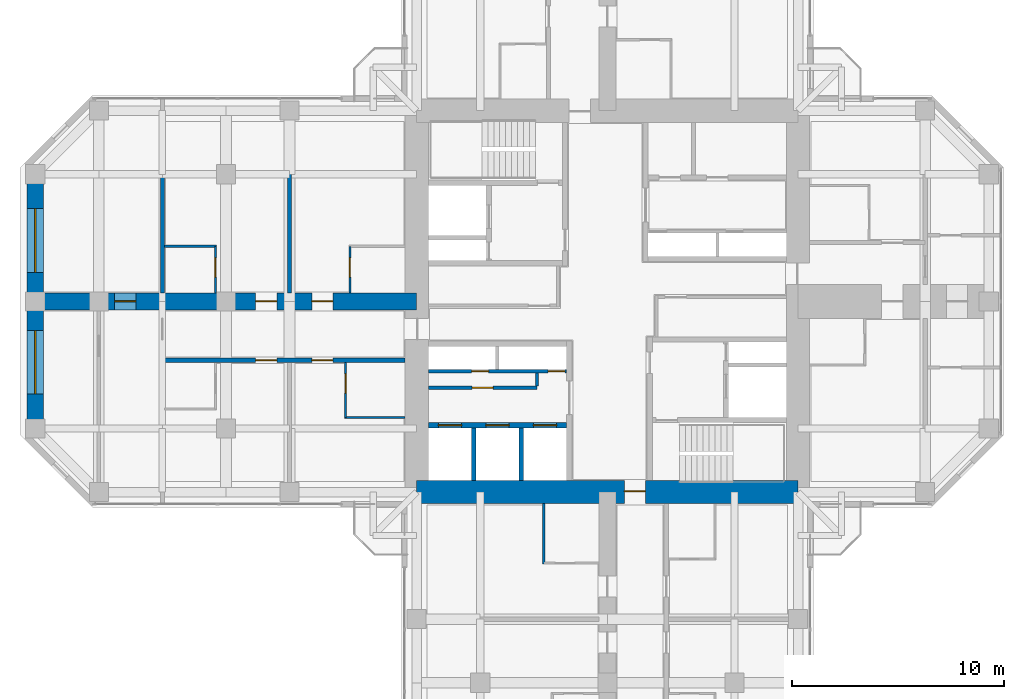
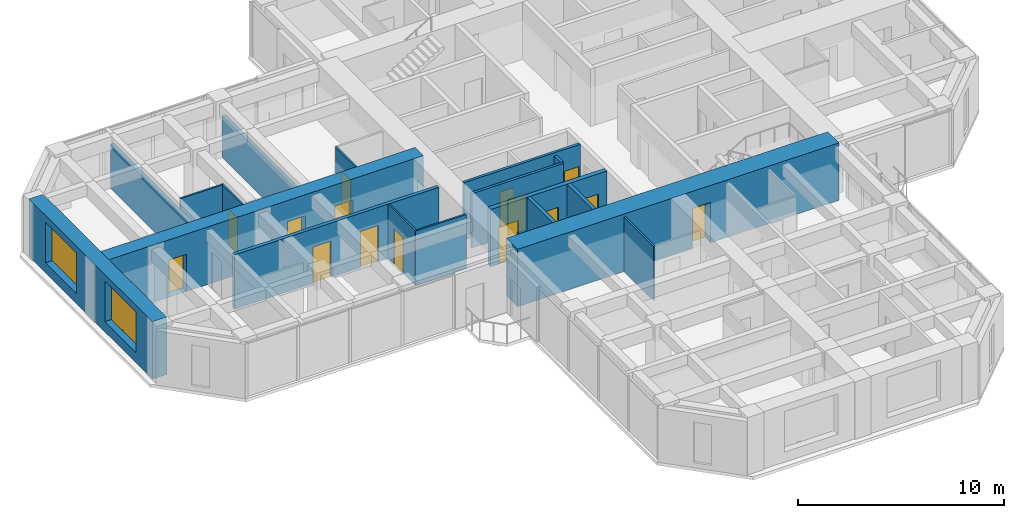
# One storey, part 9 of 14: 18 walls, 15 doors, 2 windows, 17 openings.
"""IFC4 building model written with IfcOpenShell, lengths in metres."""

import ifcopenshell
import ifcopenshell.guid

model = None  # the IFC model being written
_history = None  # IfcOwnerHistory: only IFC2X3 demands one
_inside = {}  # id of a spatial element -> (the spatial element, [elements in it])
_under = {}  # id of a project, library or spatial element -> (it, [spatial elements below it])
_declared = {}  # id of a project -> (the project, [libraries it declares])
_typed = {}  # id of a type object -> (the type object, [elements of that type])
_made_of = {}  # id of a material, layer set ... -> (it, [elements and type objects made of it])


def new_model(schema):
    """Start an empty IFC model of exactly this schema.

    Asked for "IFC4X3", IfcOpenShell would pick the latest addendum, in which some entities
    have other attributes; the version numbers below select the first issue.
    IFC2X3 requires an IfcOwnerHistory on every rooted entity: one is made here for all.
    """
    global model, _history
    if schema == "IFC4X3":
        model = ifcopenshell.file(schema_version=(4, 3, 0, 0))
    else:
        model = ifcopenshell.file(schema=schema)
    _inside.clear()
    _under.clear()
    _declared.clear()
    _typed.clear()
    _made_of.clear()
    _history = None
    if model.schema == "IFC2X3":
        org = make("IfcOrganization", Name="unknown")
        user = make(
            "IfcPersonAndOrganization",
            ThePerson=make("IfcPerson", FamilyName="unknown"),
            TheOrganization=org,
        )
        app = make(
            "IfcApplication",
            ApplicationDeveloper=org,
            Version="unknown",
            ApplicationFullName="unknown",
            ApplicationIdentifier="unknown",
        )
        _history = make(
            "IfcOwnerHistory",
            OwningUser=user,
            OwningApplication=app,
            ChangeAction="ADDED",
            CreationDate=0,
        )
    return model


def make(cls, **values):
    """One entity of the class cls with the attributes given. An attribute that is None is left unset."""
    return model.create_entity(
        cls, **{name: value for name, value in values.items() if value is not None}
    )


def rooted(cls, **values):
    """An entity with a GlobalId (a new one), such as an element, a storey or a relation."""
    return make(cls, GlobalId=ifcopenshell.guid.new(), OwnerHistory=_history, **values)


def si_unit(unit_type, name, prefix=None):
    """IfcSIUnit, for example si_unit("LENGTHUNIT", "METRE", prefix="MILLI")."""
    return make("IfcSIUnit", UnitType=unit_type, Prefix=prefix, Name=name)


def assignment(units):
    """IfcUnitAssignment: the units of a project."""
    return None if units is None else make("IfcUnitAssignment", Units=units)


def point(xyz):
    """IfcCartesianPoint."""
    return None if xyz is None else make("IfcCartesianPoint", Coordinates=xyz)


def direction(xyz):
    """IfcDirection."""
    return None if xyz is None else make("IfcDirection", DirectionRatios=xyz)


def frame(location, z_axis=None, x_axis=None):
    """IfcAxis2Placement3D, a coordinate frame: its origin and axes. An axis left out is left unset."""
    return make(
        "IfcAxis2Placement3D",
        Location=point(location),
        Axis=direction(z_axis),
        RefDirection=direction(x_axis),
    )


def frame_2d(location, x_axis=None):
    """IfcAxis2Placement2D, a coordinate frame in the plane: its origin and x axis."""
    return make(
        "IfcAxis2Placement2D", Location=point(location), RefDirection=direction(x_axis)
    )


def origin():
    """The frame at (0, 0, 0) with its axes left unset."""
    return frame((0.0, 0.0, 0.0))


def place(relative_to, where):
    """IfcLocalPlacement: puts the frame where relative to a parent placement (None: the world)."""
    return make(
        "IfcLocalPlacement", PlacementRelTo=relative_to, RelativePlacement=where
    )


def context(
    kind, dimensions, precision=None, world=None, true_north=None, identifier=None
):
    """IfcGeometricRepresentationContext, for example the 3D "Model" context."""
    return make(
        "IfcGeometricRepresentationContext",
        ContextIdentifier=identifier,
        ContextType=kind,
        CoordinateSpaceDimension=dimensions,
        Precision=precision,
        WorldCoordinateSystem=world,
        TrueNorth=true_north,
    )


def subcontext(parent, identifier, kind, view, scale=None):
    """IfcGeometricRepresentationSubContext, for example "Body" below "Model"."""
    return make(
        "IfcGeometricRepresentationSubContext",
        ContextIdentifier=identifier,
        ContextType=kind,
        ParentContext=parent,
        TargetScale=scale,
        TargetView=view,
    )


def project(units=None, contexts=None):
    """IfcProject with its units and contexts."""
    return rooted(
        "IfcProject",
        Name="project",
        RepresentationContexts=contexts,
        UnitsInContext=assignment(units),
    )


def spatial(cls, under=None, at=None, **own):
    """A site, building, storey or space (cls), placed at a placement, below another one or the project."""
    s = rooted(cls, ObjectPlacement=at, **own)
    if under is not None:
        _under.setdefault(under.id(), (under, []))[1].append(s)
    return s


def profile(cls, at=None, kind="AREA", **sizes):
    """A parametric profile (cls). Its sizes go by their IFC names, for example OverallWidth=200.0."""
    return make(cls, ProfileType=kind, Position=at, **sizes)


def rectangle(**sizes):
    """IfcRectangleProfileDef."""
    return profile("IfcRectangleProfileDef", **sizes)


def hollow_rectangle(**sizes):
    """IfcRectangleHollowProfileDef."""
    return profile("IfcRectangleHollowProfileDef", **sizes)


def extrude(swept, where, along, depth):
    """IfcExtrudedAreaSolid: the profile swept, set in the frame where, extruded along a direction by depth."""
    return make(
        "IfcExtrudedAreaSolid",
        SweptArea=swept,
        Position=where,
        ExtrudedDirection=direction(along),
        Depth=depth,
    )


def shape(context_of_items, identifier, shape_type, items):
    """IfcShapeRepresentation: the items that make up one representation, for example the "Body"."""
    return make(
        "IfcShapeRepresentation",
        ContextOfItems=context_of_items,
        RepresentationIdentifier=identifier,
        RepresentationType=shape_type,
        Items=items,
    )


def material(Name=None, Category=None):
    """IfcMaterial."""
    return make("IfcMaterial", Name=Name, Category=Category)


def layer(
    of_material, thickness, ventilated=None, Name=None, Category=None, Priority=None
):
    """IfcMaterialLayer: one layer of a wall or slab, of a material (None: an air gap)."""
    return make(
        "IfcMaterialLayer",
        Material=of_material,
        LayerThickness=thickness,
        IsVentilated=ventilated,
        Name=Name,
        Category=Category,
        Priority=Priority,
    )


def layer_set(layers, Name=None):
    """IfcMaterialLayerSet."""
    return make("IfcMaterialLayerSet", MaterialLayers=layers, LayerSetName=Name)


def constituent(of_material, Name=None, Category=None, fraction=None):
    """IfcMaterialConstituent: one of the materials an element consists of."""
    return make(
        "IfcMaterialConstituent",
        Name=Name,
        Material=of_material,
        Fraction=fraction,
        Category=Category,
    )


def constituent_set(constituents=None, Name=None):
    """IfcMaterialConstituentSet."""
    return make(
        "IfcMaterialConstituentSet", Name=Name, MaterialConstituents=constituents
    )


def made_of(thing, what):
    """Note that an element or type object is made of a material, layer set ...; save() writes the relation."""
    if what is not None:
        _made_of.setdefault(what.id(), (what, []))[1].append(thing)
    return thing


def type_object(cls, material=None, **own):
    """A type object (cls), such as IfcWallType, which elements share."""
    return made_of(rooted(cls, **own), material)


def element(
    cls,
    number,
    at=None,
    inside=None,
    cuts=None,
    type_object=None,
    material=None,
    context=None,
    identifier="Body",
    shape_type=None,
    held_by="IfcProductDefinitionShape",
    body=None,
    shapes=None,
    **own,
):
    """One element of the class cls, such as IfcWall. Its Tag is "e" and its number.

    at: its placement. inside: the storey or other place that contains it. cuts: it is an
    opening in that element (IfcRelVoidsElement). A single representation is given by context,
    identifier, shape_type and body (its items); several are given by shapes. held_by: the class
    of the entity that holds the representations. save() writes the other relations.
    """
    e = rooted(cls, Tag="e%d" % number, ObjectPlacement=at, **own)
    if body is not None:
        shapes = [shape(context, identifier, shape_type, body)]
    if shapes is not None:
        e.Representation = make(held_by, Representations=shapes)
    if inside is not None:
        _inside.setdefault(inside.id(), (inside, []))[1].append(e)
    if cuts is not None:
        rooted(
            "IfcRelVoidsElement", RelatingBuildingElement=cuts, RelatedOpeningElement=e
        )
    if type_object is not None:
        _typed.setdefault(type_object.id(), (type_object, []))[1].append(e)
    return made_of(e, material)


def fill(opening, filler):
    """IfcRelFillsElement: the door or window that sits in an opening."""
    return rooted(
        "IfcRelFillsElement",
        RelatingOpeningElement=opening,
        RelatedBuildingElement=filler,
    )


def aggregate(whole, parts):
    """IfcRelAggregates: a whole, such as a stair, and the parts it consists of."""
    return rooted("IfcRelAggregates", RelatingObject=whole, RelatedObjects=parts)


def save(model, path):
    """Write the relations noted so far, then the file.

    IfcRelAggregates (storeys below a building ...), IfcRelContainedInSpatialStructure (elements
    in a storey), IfcRelDefinesByType, IfcRelAssociatesMaterial and IfcRelDeclares: one each for
    every whole, place, type object, material and project.
    """
    for whole, parts in _under.values():
        aggregate(whole, parts)
    for where, things in _inside.values():
        rooted(
            "IfcRelContainedInSpatialStructure",
            RelatedElements=things,
            RelatingStructure=where,
        )
    for kind, things in _typed.values():
        rooted("IfcRelDefinesByType", RelatedObjects=things, RelatingType=kind)
    for what, things in _made_of.values():
        rooted("IfcRelAssociatesMaterial", RelatedObjects=things, RelatingMaterial=what)
    for by, libraries in _declared.values():
        rooted("IfcRelDeclares", RelatingContext=by, RelatedDefinitions=libraries)
    model.write(path)


model = new_model("IFC4")

# Units and contexts
model_context = context("Model", 3, precision=1e-05, world=origin(), true_north=direction((0.0, 1.0)))
body_context = subcontext(model_context, "Body", "Model", "MODEL_VIEW")
ifc_project = project(units=[si_unit("LENGTHUNIT", "METRE"), si_unit("AREAUNIT", "SQUARE_METRE"), si_unit("VOLUMEUNIT", "CUBIC_METRE"), si_unit("PLANEANGLEUNIT", "RADIAN"), si_unit("MASSUNIT", "GRAM", prefix="KILO")], contexts=[model_context])

# Site, building, storey
site_placement = place(None, origin())
site = spatial("IfcSite", under=ifc_project, at=site_placement, CompositionType="ELEMENT")
building_placement = place(site_placement, origin())
building = spatial("IfcBuilding", under=site, at=building_placement, Name="Torre Cruceta", CompositionType="ELEMENT")
storey_placement = place(building_placement, frame((0.0, 0.0, 172.89990234375)))
storey = spatial("IfcBuildingStorey", under=building, at=storey_placement, Name="L42", CompositionType="ELEMENT", Elevation=172.89990234375)

# Walls
ifc_material_1 = material(Name="Water-resistant plasterboard on steel studs", Category="steel")
ifc_layer_1 = layer(ifc_material_1, 0.10009765625)
ifc_layer_set_1 = layer_set([ifc_layer_1], Name="Water-resistant plasterboard on steel studs")
wall_type_1 = type_object("IfcWallType", Name="BATHROOM WALL 100", PredefinedType="PARTITIONING", material=ifc_layer_set_1)
for number, where, z_axis, x_axis, name in (
    (1, (-3.0, -9.550048828125, 0.0), (0.0, 0.0, 1.0), (0.0, -1.0, 0.0), "PT4 L42-S-U1RBB"),
    (2, (-9.550048828125, -5.47509765625, 0.0), (0.0, 0.0, 1.0), (-1.0, 0.0, 0.0), "PT4 L42-W-U1LBB"),
):
    element("IfcWall", number, at=place(storey_placement, frame(where, z_axis=z_axis, x_axis=x_axis)), inside=storey, type_object=wall_type_1, Name=name, PredefinedType="PARTITIONING", context=body_context, shape_type="SweptSolid", body=[
        extrude(rectangle(XDim=2.849853515625, YDim=0.10009765625, at=frame_2d((1.4248046875, 0.0))), origin(), (0.0, 0.0, 1.0), 3.22021484375),
    ])

# Wall, opening, door
wall_1_placement = place(storey_placement, frame((-12.35009765625, -2.875, 0.0), z_axis=(0.0, 0.0, 1.0), x_axis=(0.0, -1.0, 0.0)))
wall_1 = element("IfcWall", 3, at=wall_1_placement, inside=storey, type_object=wall_type_1, Name="PT4 L42-W-U1LBS", PredefinedType="PARTITIONING", context=body_context, shape_type="SweptSolid", body=[
    extrude(rectangle(XDim=2.60009765625, YDim=0.10009765625, at=frame_2d((1.300048828125, 0.0))), origin(), (0.0, 0.0, 1.0), 3.22021484375),
])
opening_1_placement = place(wall_1_placement, frame((0.550048828125, 0.0, 0.0)))
opening_1 = element("IfcOpeningElement", 4, at=opening_1_placement, cuts=wall_1, Name="Opening D7", PredefinedType="OPENING", context=body_context, shape_type="SweptSolid", body=[
    extrude(rectangle(XDim=0.89990234375, YDim=2.10009765625, at=frame_2d((0.449951171875, 1.050048828125))), frame((0.0, 0.06005859375, 0.0), z_axis=(0.0, -1.0, 0.0), x_axis=(1.0, 0.0, 0.0)), (0.0, 0.0, 1.0), 0.1201171875),
])
ifc_material_2 = material(Name="Timber door", Category="wood")
door_type_1 = type_object("IfcDoorType", Name="BATHROOM DOOR 900X2100", OperationType="SINGLE_SWING_LEFT", PredefinedType="DOOR", material=ifc_material_2)
door_1_placement = place(opening_1_placement, origin())
door_1 = element("IfcDoor", 5, at=door_1_placement, inside=storey, type_object=door_type_1, Name="D7 L42-W-U1LBS-D1", OperationType="SINGLE_SWING_LEFT", OverallHeight=2.10009765625, OverallWidth=0.89990234375, PredefinedType="DOOR", context=body_context, shape_type="SweptSolid", body=[
    extrude(rectangle(XDim=0.89990234375, YDim=2.10009765625, at=frame_2d((0.449951171875, 1.050048828125))), frame((0.0, 0.02490234375, 0.0), z_axis=(0.0, -1.0, 0.0), x_axis=(1.0, 0.0, 0.0)), (0.0, 0.0, 1.0), 0.050048828125),
])
fill(opening_1, door_1)

wall_2_placement = place(storey_placement, frame((-12.14990234375, 2.60009765625, 0.0), z_axis=(0.0, 0.0, 1.0), x_axis=(0.0, -1.0, 0.0)))
wall_2 = element("IfcWall", 6, at=wall_2_placement, inside=storey, type_object=wall_type_1, Name="PT4 L42-W-U1RBS", PredefinedType="PARTITIONING", context=body_context, shape_type="SweptSolid", body=[
    extrude(rectangle(XDim=2.2001953125, YDim=0.10009765625, at=frame_2d((1.10009765625, 0.0))), origin(), (0.0, 0.0, 1.0), 3.22021484375),
])
opening_2_placement = place(wall_2_placement, frame((0.550048828125, 0.0, 0.0)))
opening_2 = element("IfcOpeningElement", 7, at=opening_2_placement, cuts=wall_2, Name="Opening D7", PredefinedType="OPENING", context=body_context, shape_type="SweptSolid", body=[
    extrude(rectangle(XDim=0.89990234375, YDim=2.10009765625, at=frame_2d((0.449951171875, 1.050048828125))), frame((0.0, 0.06005859375, 0.0), z_axis=(0.0, -1.0, 0.0), x_axis=(1.0, 0.0, 0.0)), (0.0, 0.0, 1.0), 0.1201171875),
])
door_2_placement = place(opening_2_placement, origin())
door_2 = element("IfcDoor", 8, at=door_2_placement, inside=storey, type_object=door_type_1, Name="D7 L42-W-U1RBS-D1", OperationType="SINGLE_SWING_LEFT", OverallHeight=2.10009765625, OverallWidth=0.89990234375, PredefinedType="DOOR", context=body_context, shape_type="SweptSolid", body=[
    extrude(rectangle(XDim=0.89990234375, YDim=2.10009765625, at=frame_2d((0.449951171875, 1.050048828125))), frame((0.0, 0.02490234375, 0.0), z_axis=(0.0, -1.0, 0.0), x_axis=(1.0, 0.0, 0.0)), (0.0, 0.0, 1.0), 0.050048828125),
])
fill(opening_2, door_2)

# Wall
wall_3_placement = place(storey_placement, frame((-18.449951171875, 2.60009765625, 0.0), z_axis=(0.0, 0.0, 1.0), x_axis=(-1.0, 0.0, 0.0)))
element("IfcWall", 9, at=wall_3_placement, inside=storey, type_object=wall_type_1, Name="PT4 L42-W-U2RBB", PredefinedType="PARTITIONING", context=body_context, shape_type="SweptSolid", body=[
    extrude(rectangle(XDim=2.449951171875, YDim=0.10009765625, at=frame_2d((1.22509765625, 0.0))), origin(), (0.0, 0.0, 1.0), 3.22021484375),
])

# Wall, opening, door
wall_4_placement = place(storey_placement, frame((-18.5, 2.60009765625, 0.0), z_axis=(0.0, 0.0, 1.0), x_axis=(0.0, -1.0, 0.0)))
wall_4 = element("IfcWall", 10, at=wall_4_placement, inside=storey, type_object=wall_type_1, Name="PT4 L42-W-U2RBS", PredefinedType="PARTITIONING", context=body_context, shape_type="SweptSolid", body=[
    extrude(rectangle(XDim=2.2001953125, YDim=0.10009765625, at=frame_2d((1.10009765625, 0.0))), origin(), (0.0, 0.0, 1.0), 3.22021484375),
])
opening_3_placement = place(wall_4_placement, frame((0.550048828125, 0.0, 0.0)))
opening_3 = element("IfcOpeningElement", 11, at=opening_3_placement, cuts=wall_4, Name="Opening D7", PredefinedType="OPENING", context=body_context, shape_type="SweptSolid", body=[
    extrude(rectangle(XDim=0.89990234375, YDim=2.10009765625, at=frame_2d((0.449951171875, 1.050048828125))), frame((0.0, 0.06005859375, 0.0), z_axis=(0.0, -1.0, 0.0), x_axis=(1.0, 0.0, 0.0)), (0.0, 0.0, 1.0), 0.1201171875),
])
door_3_placement = place(opening_3_placement, frame((0.89990234375, 0.0, 0.0), z_axis=(0.0, 0.0, 1.0), x_axis=(-1.0, 0.0, 0.0)))
door_3 = element("IfcDoor", 12, at=door_3_placement, inside=storey, type_object=door_type_1, Name="D7 L42-W-U2RBS-D1", OperationType="SINGLE_SWING_RIGHT", OverallHeight=2.10009765625, OverallWidth=0.89990234375, PredefinedType="DOOR", context=body_context, shape_type="SweptSolid", body=[
    extrude(rectangle(XDim=0.89990234375, YDim=2.10009765625, at=frame_2d((0.449951171875, 1.050048828125))), frame((0.0, 0.025146484375, 0.0), z_axis=(0.0, -1.0, 0.0), x_axis=(1.0, 0.0, 0.0)), (0.0, 0.0, 1.0), 0.050048828125),
])
fill(opening_3, door_3)

# Wall, openings, doors
ifc_material_3 = material(Name="Concrete G60 (fck 60 MPa)", Category="concrete")
ifc_layer_2 = layer(ifc_material_3, 0.25)
ifc_layer_set_2 = layer_set([ifc_layer_2], Name="Concrete G60 (fck 60 MPa)")
wall_type_2 = type_object("IfcWallType", Name="CORE INNER WALL 250 G60", PredefinedType="SHEAR", material=ifc_layer_set_2)
wall_5_placement = place(storey_placement, frame((-1.925048828125, -5.85009765625, 0.0), z_axis=(0.0, 0.0, 1.0), x_axis=(-1.0, 0.0, 0.0)))
wall_5 = element("IfcWall", 13, at=wall_5_placement, inside=storey, type_object=wall_type_2, Name="CW4 L42 SW-LV", PredefinedType="SHEAR", context=body_context, shape_type="SweptSolid", body=[
    extrude(rectangle(XDim=6.52490234375, YDim=0.25, at=frame_2d((3.262451171875, 0.0))), origin(), (0.0, 0.0, 1.0), 3.400146484375),
])
opening_4_placement = place(wall_5_placement, frame((0.470947265625, 0.0, 0.0)))
opening_4 = element("IfcOpeningElement", 14, at=opening_4_placement, cuts=wall_5, Name="Opening LD1", PredefinedType="OPENING", context=body_context, shape_type="SweptSolid", body=[
    extrude(rectangle(XDim=1.10009765625, YDim=2.199951171875, at=frame_2d((0.550048828125, 1.10009765625))), frame((0.0, 0.135009765625, 0.0), z_axis=(0.0, -1.0, 0.0), x_axis=(1.0, 0.0, 0.0)), (0.0, 0.0, 1.0), 0.27001953125),
])
opening_5_placement = place(wall_5_placement, frame((2.71240234375, 0.0, 0.0)))
opening_5 = element("IfcOpeningElement", 15, at=opening_5_placement, cuts=wall_5, Name="Opening LD1", PredefinedType="OPENING", context=body_context, shape_type="SweptSolid", body=[
    extrude(rectangle(XDim=1.10009765625, YDim=2.199951171875, at=frame_2d((0.550048828125, 1.10009765625))), frame((0.0, 0.135009765625, 0.0), z_axis=(0.0, -1.0, 0.0), x_axis=(1.0, 0.0, 0.0)), (0.0, 0.0, 1.0), 0.27001953125),
])
opening_6_placement = place(wall_5_placement, frame((4.9541015625, 0.0, 0.0)))
opening_6 = element("IfcOpeningElement", 16, at=opening_6_placement, cuts=wall_5, Name="Opening LD1", PredefinedType="OPENING", context=body_context, shape_type="SweptSolid", body=[
    extrude(rectangle(XDim=1.10009765625, YDim=2.199951171875, at=frame_2d((0.550048828125, 1.10009765625))), frame((0.0, 0.135009765625, 0.0), z_axis=(0.0, -1.0, 0.0), x_axis=(1.0, 0.0, 0.0)), (0.0, 0.0, 1.0), 0.27001953125),
])
ifc_material_4 = material(Name="Stainless steel 1.4401", Category="steel")
door_type_2 = type_object("IfcDoorType", Name="LIFT LANDING DOOR 1100X2200", OperationType="DOUBLE_DOOR_SLIDING", PredefinedType="DOOR", material=ifc_material_4)
door_4_placement = place(opening_4_placement, origin())
door_4 = element("IfcDoor", 17, at=door_4_placement, inside=storey, type_object=door_type_2, Name="Lift landing door R1", OperationType="DOUBLE_DOOR_SLIDING", OverallHeight=2.199951171875, OverallWidth=1.10009765625, PredefinedType="DOOR", context=body_context, shape_type="SweptSolid", body=[
    extrude(rectangle(XDim=1.10009765625, YDim=2.199951171875, at=frame_2d((0.550048828125, 1.10009765625))), frame((0.0, 0.02490234375, 0.0), z_axis=(0.0, -1.0, 0.0), x_axis=(1.0, 0.0, 0.0)), (0.0, 0.0, 1.0), 0.050048828125),
])
fill(opening_4, door_4)
door_5_placement = place(opening_5_placement, origin())
door_5 = element("IfcDoor", 18, at=door_5_placement, inside=storey, type_object=door_type_2, Name="Lift landing door R2", OperationType="DOUBLE_DOOR_SLIDING", OverallHeight=2.199951171875, OverallWidth=1.10009765625, PredefinedType="DOOR", context=body_context, shape_type="SweptSolid", body=[
    extrude(rectangle(XDim=1.10009765625, YDim=2.199951171875, at=frame_2d((0.550048828125, 1.10009765625))), frame((0.0, 0.02490234375, 0.0), z_axis=(0.0, -1.0, 0.0), x_axis=(1.0, 0.0, 0.0)), (0.0, 0.0, 1.0), 0.050048828125),
])
fill(opening_5, door_5)
door_6_placement = place(opening_6_placement, origin())
door_6 = element("IfcDoor", 19, at=door_6_placement, inside=storey, type_object=door_type_2, Name="Lift landing door R3", OperationType="DOUBLE_DOOR_SLIDING", OverallHeight=2.199951171875, OverallWidth=1.10009765625, PredefinedType="DOOR", context=body_context, shape_type="SweptSolid", body=[
    extrude(rectangle(XDim=1.10009765625, YDim=2.199951171875, at=frame_2d((0.550048828125, 1.10009765625))), frame((0.0, 0.02490234375, 0.0), z_axis=(0.0, -1.0, 0.0), x_axis=(1.0, 0.0, 0.0)), (0.0, 0.0, 1.0), 0.050048828125),
])
fill(opening_6, door_6)

# Wall, opening, door
ifc_material_5 = material(Name="Concrete G60 (fck 60 MPa)", Category="concrete")
ifc_layer_3 = layer(ifc_material_5, 1.10009765625)
ifc_layer_set_3 = layer_set([ifc_layer_3], Name="Concrete G60 (fck 60 MPa)")
wall_type_3 = type_object("IfcWallType", Name="CORE WALL 1100 G60", PredefinedType="SHEAR", material=ifc_layer_set_3)
wall_6_placement = place(storey_placement, frame((-9.0, -9.0, 0.0), z_axis=(0.0, 0.0, 1.0), x_axis=(1.0, 0.0, 0.0)))
wall_6 = element("IfcWall", 20, at=wall_6_placement, inside=storey, type_object=wall_type_3, Name="CW2 L42 CW-S", PredefinedType="SHEAR", context=body_context, shape_type="SweptSolid", body=[
    extrude(rectangle(XDim=18.0, YDim=1.10009765625, at=frame_2d((9.0, 0.0))), origin(), (0.0, 0.0, 1.0), 3.400146484375),
])
opening_7_placement = place(wall_6_placement, frame((9.800048828125, 0.0, 0.0)))
opening_7 = element("IfcOpeningElement", 21, at=opening_7_placement, cuts=wall_6, Name="Opening D4", PredefinedType="OPENING", context=body_context, shape_type="SweptSolid", body=[
    extrude(rectangle(XDim=1.0, YDim=2.39990234375, at=frame_2d((0.5, 1.199951171875))), frame((0.0, 0.56005859375, 0.0), z_axis=(0.0, -1.0, 0.0), x_axis=(1.0, 0.0, 0.0)), (0.0, 0.0, 1.0), 1.1201171875),
])
ifc_material_6 = material(Name="Steel DX51D", Category="steel")
ifc_constituent_1 = constituent(ifc_material_6, Name="Leaf and frame")
ifc_material_7 = material(Name="Polyester powder coating", Category="paint")
ifc_constituent_2 = constituent(ifc_material_7, Name="Finish")
ifc_constituent_set_1 = constituent_set(constituents=[ifc_constituent_1, ifc_constituent_2], Name="Steel fire door")
door_type_3 = type_object("IfcDoorType", Name="CORE ARM DOOR 1000X2400", OperationType="SINGLE_SWING_RIGHT", PredefinedType="DOOR", material=ifc_constituent_set_1)
door_7_placement = place(opening_7_placement, origin())
door_7 = element("IfcDoor", 22, at=door_7_placement, inside=storey, type_object=door_type_3, Name="D4 L42 CW-S", OperationType="SINGLE_SWING_RIGHT", OverallHeight=2.39990234375, OverallWidth=1.0, PredefinedType="DOOR", context=body_context, shape_type="SweptSolid", body=[
    extrude(rectangle(XDim=1.0, YDim=2.39990234375, at=frame_2d((0.5, 1.199951171875))), frame((0.0, 0.05517578125, 0.0), z_axis=(0.0, -1.0, 0.0), x_axis=(1.0, 0.0, 0.0)), (0.0, 0.0, 1.0), 0.050048828125),
])
fill(opening_7, door_7)

# Wall, openings, doors
ifc_material_8 = material(Name="Concrete G25 (fck 25 MPa)", Category="concrete")
ifc_layer_4 = layer(ifc_material_8, 0.199951171875)
ifc_layer_set_4 = layer_set([ifc_layer_4], Name="Concrete G25 (fck 25 MPa)")
wall_type_4 = type_object("IfcWallType", Name="CORRIDOR WALL 200", PredefinedType="SOLIDWALL", material=ifc_layer_set_4)
wall_7_placement = place(storey_placement, frame((-9.550048828125, -2.77490234375, 0.0), z_axis=(0.0, 0.0, 1.0), x_axis=(-1.0, 0.0, 0.0)))
wall_7 = element("IfcWall", 23, at=wall_7_placement, inside=storey, type_object=wall_type_4, Name="PT3 L42-W-CL", PredefinedType="SOLIDWALL", context=body_context, shape_type="SweptSolid", body=[
    extrude(rectangle(XDim=11.449951171875, YDim=0.199951171875, at=frame_2d((5.72509765625, 0.0))), origin(), (0.0, 0.0, 1.0), 3.22021484375),
])
opening_8_placement = place(wall_7_placement, frame((3.39990234375, 0.0, 0.0)))
opening_8 = element("IfcOpeningElement", 24, at=opening_8_placement, cuts=wall_7, Name="Opening D6", PredefinedType="OPENING", context=body_context, shape_type="SweptSolid", body=[
    extrude(rectangle(XDim=1.0, YDim=2.14990234375, at=frame_2d((0.5, 1.074951171875))), frame((0.0, 0.10986328125, 0.0), z_axis=(0.0, -1.0, 0.0), x_axis=(1.0, 0.0, 0.0)), (0.0, 0.0, 1.0), 0.219970703125),
])
opening_9_placement = place(wall_7_placement, frame((6.050048828125, 0.0, 0.0)))
opening_9 = element("IfcOpeningElement", 25, at=opening_9_placement, cuts=wall_7, Name="Opening D6", PredefinedType="OPENING", context=body_context, shape_type="SweptSolid", body=[
    extrude(rectangle(XDim=1.0, YDim=2.14990234375, at=frame_2d((0.5, 1.074951171875))), frame((0.0, 0.10986328125, 0.0), z_axis=(0.0, -1.0, 0.0), x_axis=(1.0, 0.0, 0.0)), (0.0, 0.0, 1.0), 0.219970703125),
])
ifc_material_9 = material(Name="Timber fire door", Category="wood")
door_type_4 = type_object("IfcDoorType", Name="UNIT ENTRANCE DOOR 1000X2150", OperationType="SINGLE_SWING_LEFT", PredefinedType="DOOR", material=ifc_material_9)
door_8_placement = place(opening_8_placement, origin())
door_8 = element("IfcDoor", 26, at=door_8_placement, inside=storey, type_object=door_type_4, Name="D6 L42-W-CL-D1", OperationType="SINGLE_SWING_LEFT", OverallHeight=2.14990234375, OverallWidth=1.0, PredefinedType="DOOR", context=body_context, shape_type="SweptSolid", body=[
    extrude(rectangle(XDim=1.0, YDim=2.14990234375, at=frame_2d((0.5, 1.074951171875))), frame((0.0, 0.02490234375, 0.0), z_axis=(0.0, -1.0, 0.0), x_axis=(1.0, 0.0, 0.0)), (0.0, 0.0, 1.0), 0.050048828125),
])
fill(opening_8, door_8)
door_9_placement = place(opening_9_placement, origin())
door_9 = element("IfcDoor", 27, at=door_9_placement, inside=storey, type_object=door_type_4, Name="D6 L42-W-CL-D2", OperationType="SINGLE_SWING_LEFT", OverallHeight=2.14990234375, OverallWidth=1.0, PredefinedType="DOOR", context=body_context, shape_type="SweptSolid", body=[
    extrude(rectangle(XDim=1.0, YDim=2.14990234375, at=frame_2d((0.5, 1.074951171875))), frame((0.0, 0.02490234375, 0.0), z_axis=(0.0, -1.0, 0.0), x_axis=(1.0, 0.0, 0.0)), (0.0, 0.0, 1.0), 0.050048828125),
])
fill(opening_9, door_9)

# Walls
ifc_material_10 = material(Name="Concrete G35 (fck 35 MPa)", Category="concrete")
ifc_layer_5 = layer(ifc_material_10, 0.199951171875)
ifc_layer_set_5 = layer_set([ifc_layer_5], Name="Concrete G35 (fck 35 MPa)")
wall_type_5 = type_object("IfcWallType", Name="LIFT SHAFT WALL 200", PredefinedType="PARTITIONING", material=ifc_layer_set_5)
for number, where, z_axis, x_axis, name in (
    (28, (-4.066650390625, -5.97509765625, 0.0), (0.0, 0.0, 1.0), (0.0, -1.0, 0.0), "SW1 L42 SW-LS1"),
    (29, (-6.308349609375, -5.97509765625, 0.0), (0.0, 0.0, 1.0), (0.0, -1.0, 0.0), "SW1 L42 SW-LS2"),
):
    element("IfcWall", number, at=place(storey_placement, frame(where, z_axis=z_axis, x_axis=x_axis)), inside=storey, type_object=wall_type_5, Name=name, PredefinedType="PARTITIONING", context=body_context, shape_type="SweptSolid", body=[
        extrude(rectangle(XDim=2.474853515625, YDim=0.199951171875, at=frame_2d((1.2373046875, 0.0))), origin(), (0.0, 0.0, 1.0), 3.400146484375),
    ])

# Wall, openings, windows
ifc_material_11 = material(Name="Concrete G60 (fck 60 MPa)", Category="concrete")
ifc_layer_6 = layer(ifc_material_11, 0.800048828125)
ifc_layer_set_6 = layer_set([ifc_layer_6], Name="Concrete G60 (fck 60 MPa)")
wall_type_6 = type_object("IfcWallType", Name="NOSE WALL 800 G60", PredefinedType="SHEAR", material=ifc_layer_set_6)
wall_8_placement = place(storey_placement, frame((-27.0, 6.0, 0.0), z_axis=(0.0, 0.0, 1.0), x_axis=(0.0, -1.0, 0.0)))
wall_8 = element("IfcWall", 30, at=wall_8_placement, inside=storey, type_object=wall_type_6, Name="NW2 nose wall L42 W", PredefinedType="SHEAR", context=body_context, shape_type="SweptSolid", body=[
    extrude(rectangle(XDim=12.0, YDim=0.800048828125, at=frame_2d((6.0, 0.0))), origin(), (0.0, 0.0, 1.0), 3.400146484375),
])
opening_10_placement = place(wall_8_placement, frame((1.625, 0.0, 0.60009765625)))
opening_10 = element("IfcOpeningElement", 31, at=opening_10_placement, cuts=wall_8, Name="Opening WN6", PredefinedType="OPENING", context=body_context, shape_type="SweptSolid", body=[
    extrude(rectangle(XDim=3.0, YDim=2.39990234375, at=frame_2d((1.5, 1.199951171875))), frame((0.0, 0.409912109375, 0.0), z_axis=(0.0, -1.0, 0.0), x_axis=(1.0, 0.0, 0.0)), (0.0, 0.0, 1.0), 0.820068359375),
])
opening_11_placement = place(wall_8_placement, frame((7.375, 0.0, 0.60009765625)))
opening_11 = element("IfcOpeningElement", 32, at=opening_11_placement, cuts=wall_8, Name="Opening WN6", PredefinedType="OPENING", context=body_context, shape_type="SweptSolid", body=[
    extrude(rectangle(XDim=3.0, YDim=2.39990234375, at=frame_2d((1.5, 1.199951171875))), frame((0.0, 0.409912109375, 0.0), z_axis=(0.0, -1.0, 0.0), x_axis=(1.0, 0.0, 0.0)), (0.0, 0.0, 1.0), 0.820068359375),
])
ifc_material_12 = material(Name="Aluminium window frame", Category="aluminium")
ifc_constituent_3 = constituent(ifc_material_12, Name="Frame")
ifc_material_13 = material(Name="Laminated insulating glass unit, low-iron clear", Category="glass")
ifc_constituent_4 = constituent(ifc_material_13, Name="Glazing")
ifc_constituent_set_2 = constituent_set(constituents=[ifc_constituent_3, ifc_constituent_4], Name="Aluminium window")
window_type = type_object("IfcWindowType", Name="NOSE WALL WINDOW 3000X2400", PartitioningType="SINGLE_PANEL", PredefinedType="WINDOW", material=ifc_constituent_set_2)
window_1_placement = place(opening_10_placement, origin())
window_1 = element("IfcWindow", 33, at=window_1_placement, inside=storey, type_object=window_type, Name="WN6 L42 W 1", OverallHeight=2.39990234375, OverallWidth=3.0, PartitioningType="SINGLE_PANEL", PredefinedType="WINDOW", context=body_context, shape_type="SweptSolid", body=[
    extrude(hollow_rectangle(XDim=3.0, YDim=2.39990234375, WallThickness=0.06005859375, at=frame_2d((1.5, 1.199951171875))), frame((0.0, 0.030029296875, 0.0), z_axis=(0.0, -1.0, 0.0), x_axis=(1.0, 0.0, 0.0)), (0.0, 0.0, 1.0), 0.06005859375),
    extrude(rectangle(XDim=2.87890625, YDim=2.27880859375, at=frame_2d((1.5, 1.199951171875))), frame((0.0, 0.030029296875, 0.0), z_axis=(0.0, -1.0, 0.0), x_axis=(1.0, 0.0, 0.0)), (0.0, 0.0, 1.0), 0.06005859375),
])
fill(opening_10, window_1)
window_2_placement = place(opening_11_placement, origin())
window_2 = element("IfcWindow", 34, at=window_2_placement, inside=storey, type_object=window_type, Name="WN6 L42 W 2", OverallHeight=2.39990234375, OverallWidth=3.0, PartitioningType="SINGLE_PANEL", PredefinedType="WINDOW", context=body_context, shape_type="SweptSolid", body=[
    extrude(hollow_rectangle(XDim=3.0, YDim=2.39990234375, WallThickness=0.06005859375, at=frame_2d((1.5, 1.199951171875))), frame((0.0, 0.030029296875, 0.0), z_axis=(0.0, -1.0, 0.0), x_axis=(1.0, 0.0, 0.0)), (0.0, 0.0, 1.0), 0.06005859375),
    extrude(rectangle(XDim=2.87890625, YDim=2.27880859375, at=frame_2d((1.5, 1.199951171875))), frame((0.0, 0.030029296875, 0.0), z_axis=(0.0, -1.0, 0.0), x_axis=(1.0, 0.0, 0.0)), (0.0, 0.0, 1.0), 0.06005859375),
])
fill(opening_11, window_2)

# Wall, opening, door
ifc_material_14 = material(Name="Plasterboard on steel studs", Category="steel")
ifc_layer_7 = layer(ifc_material_14, 0.14990234375)
ifc_layer_set_7 = layer_set([ifc_layer_7], Name="Plasterboard on steel studs")
wall_type_7 = type_object("IfcWallType", Name="PARTITION 150", PredefinedType="PARTITIONING", material=ifc_layer_set_7)
wall_9_placement = place(storey_placement, frame((-3.324951171875, -4.074951171875, 0.0), z_axis=(0.0, 0.0, 1.0), x_axis=(-1.0, 0.0, 0.0)))
wall_9 = element("IfcWall", 35, at=wall_9_placement, inside=storey, type_object=wall_type_7, Name="PT1 L42-CORE-SW-CUPBOARD", PredefinedType="PARTITIONING", context=body_context, shape_type="SweptSolid", body=[
    extrude(rectangle(XDim=5.125, YDim=0.14990234375, at=frame_2d((2.5625, 0.0))), origin(), (0.0, 0.0, 1.0), 3.22021484375),
])
opening_12_placement = place(wall_9_placement, frame((2.0625, 0.0, 0.0)))
opening_12 = element("IfcOpeningElement", 36, at=opening_12_placement, cuts=wall_9, Name="Opening D19", PredefinedType="OPENING", context=body_context, shape_type="SweptSolid", body=[
    extrude(rectangle(XDim=1.0, YDim=2.10009765625, at=frame_2d((0.5, 1.050048828125))), frame((0.0, 0.0849609375, 0.0), z_axis=(0.0, -1.0, 0.0), x_axis=(1.0, 0.0, 0.0)), (0.0, 0.0, 1.0), 0.169921875),
])
ifc_material_15 = material(Name="Timber fire door", Category="wood")
door_type_5 = type_object("IfcDoorType", Name="CUPBOARD PAIR OF DOORS 1000X2100", OperationType="DOUBLE_DOOR_SINGLE_SWING", PredefinedType="DOOR", material=ifc_material_15)
door_10_placement = place(opening_12_placement, frame((1.0, 0.0, 0.0), z_axis=(0.0, 0.0, 1.0), x_axis=(-1.0, 0.0, 0.0)))
door_10 = element("IfcDoor", 37, at=door_10_placement, inside=storey, type_object=door_type_5, Name="D19 L42-CORE-SW-CUPBOARD-D1", OperationType="DOUBLE_DOOR_SINGLE_SWING", OverallHeight=2.10009765625, OverallWidth=1.0, PredefinedType="DOOR", context=body_context, shape_type="SweptSolid", body=[
    extrude(rectangle(XDim=1.0, YDim=2.10009765625, at=frame_2d((0.5, 1.050048828125))), frame((0.0, 0.025146484375, 0.0), z_axis=(0.0, -1.0, 0.0), x_axis=(1.0, 0.0, 0.0)), (0.0, 0.0, 1.0), 0.050048828125),
])
fill(opening_12, door_10)

# Wall
wall_10_placement = place(storey_placement, frame((-3.324951171875, -3.375, 0.0), z_axis=(0.0, 0.0, 1.0), x_axis=(0.0, -1.0, 0.0)))
element("IfcWall", 38, at=wall_10_placement, inside=storey, type_object=wall_type_7, Name="PT1 L42-CORE-SW-CUPBOARDE", PredefinedType="PARTITIONING", context=body_context, shape_type="SweptSolid", body=[
    extrude(rectangle(XDim=0.625, YDim=0.14990234375, at=frame_2d((0.3125, 0.0))), origin(), (0.0, 0.0, 1.0), 3.22021484375),
])

# Wall, openings, doors
ifc_material_16 = material(Name="Concrete block masonry", Category="masonry")
ifc_layer_8 = layer(ifc_material_16, 0.14990234375)
ifc_layer_set_8 = layer_set([ifc_layer_8], Name="Concrete block masonry")
wall_type_8 = type_object("IfcWallType", Name="RISER WALL 150", PredefinedType="PARTITIONING", material=ifc_layer_set_8)
wall_11_placement = place(storey_placement, frame((-1.925048828125, -3.300048828125, 0.0), z_axis=(0.0, 0.0, 1.0), x_axis=(-1.0, 0.0, 0.0)))
wall_11 = element("IfcWall", 39, at=wall_11_placement, inside=storey, type_object=wall_type_8, Name="SW7 L42 SW-RV", PredefinedType="PARTITIONING", context=body_context, shape_type="SweptSolid", body=[
    extrude(rectangle(XDim=6.52490234375, YDim=0.14990234375, at=frame_2d((3.262451171875, 0.0))), origin(), (0.0, 0.0, 1.0), 3.400146484375),
])
opening_13_placement = place(wall_11_placement, frame((0.074951171875, 0.0, 0.0)))
opening_13 = element("IfcOpeningElement", 40, at=opening_13_placement, cuts=wall_11, Name="Opening D5", PredefinedType="OPENING", context=body_context, shape_type="SweptSolid", body=[
    extrude(rectangle(XDim=0.800048828125, YDim=2.10009765625, at=frame_2d((0.39990234375, 1.050048828125))), frame((0.0, 0.0849609375, 0.0), z_axis=(0.0, -1.0, 0.0), x_axis=(1.0, 0.0, 0.0)), (0.0, 0.0, 1.0), 0.169921875),
])
opening_14_placement = place(wall_11_placement, frame((3.675048828125, 0.0, 0.0)))
opening_14 = element("IfcOpeningElement", 41, at=opening_14_placement, cuts=wall_11, Name="Opening D5", PredefinedType="OPENING", context=body_context, shape_type="SweptSolid", body=[
    extrude(rectangle(XDim=0.800048828125, YDim=2.10009765625, at=frame_2d((0.39990234375, 1.050048828125))), frame((0.0, 0.0849609375, 0.0), z_axis=(0.0, -1.0, 0.0), x_axis=(1.0, 0.0, 0.0)), (0.0, 0.0, 1.0), 0.169921875),
])
ifc_material_17 = material(Name="Steel DX51D", Category="steel")
ifc_constituent_5 = constituent(ifc_material_17, Name="Leaf and frame")
ifc_material_18 = material(Name="Polyester powder coating", Category="paint")
ifc_constituent_6 = constituent(ifc_material_18, Name="Finish")
ifc_constituent_set_3 = constituent_set(constituents=[ifc_constituent_5, ifc_constituent_6], Name="Steel fire door")
door_type_6 = type_object("IfcDoorType", Name="RISER ACCESS DOOR 800X2100", OperationType="SINGLE_SWING_LEFT", PredefinedType="DOOR", material=ifc_constituent_set_3)
door_11_placement = place(opening_13_placement, frame((0.800048828125, 0.0, 0.0), z_axis=(0.0, 0.0, 1.0), x_axis=(-1.0, 0.0, 0.0)))
door_11 = element("IfcDoor", 42, at=door_11_placement, inside=storey, type_object=door_type_6, Name="D5 L42 SW-RISER1", OperationType="SINGLE_SWING_RIGHT", OverallHeight=2.10009765625, OverallWidth=0.800048828125, PredefinedType="DOOR", context=body_context, shape_type="SweptSolid", body=[
    extrude(rectangle(XDim=0.800048828125, YDim=2.10009765625, at=frame_2d((0.400146484375, 1.050048828125))), frame((0.0, 0.025146484375, 0.0), z_axis=(0.0, -1.0, 0.0), x_axis=(1.0, 0.0, 0.0)), (0.0, 0.0, 1.0), 0.050048828125),
])
fill(opening_13, door_11)
door_12_placement = place(opening_14_placement, frame((0.800048828125, 0.0, 0.0), z_axis=(0.0, 0.0, 1.0), x_axis=(-1.0, 0.0, 0.0)))
door_12 = element("IfcDoor", 43, at=door_12_placement, inside=storey, type_object=door_type_6, Name="D5 L42 SW-RISER2", OperationType="SINGLE_SWING_RIGHT", OverallHeight=2.10009765625, OverallWidth=0.800048828125, PredefinedType="DOOR", context=body_context, shape_type="SweptSolid", body=[
    extrude(rectangle(XDim=0.800048828125, YDim=2.10009765625, at=frame_2d((0.400146484375, 1.050048828125))), frame((0.0, 0.025146484375, 0.0), z_axis=(0.0, -1.0, 0.0), x_axis=(1.0, 0.0, 0.0)), (0.0, 0.0, 1.0), 0.050048828125),
])
fill(opening_14, door_12)

ifc_material_19 = material(Name="Concrete G60 (fck 60 MPa)", Category="concrete")
ifc_layer_9 = layer(ifc_material_19, 0.800048828125)
ifc_layer_set_9 = layer_set([ifc_layer_9], Name="Concrete G60 (fck 60 MPa)")
wall_type_9 = type_object("IfcWallType", Name="SPINE WALL 800 G60", PredefinedType="SHEAR", material=ifc_layer_set_9)
wall_12_placement = place(storey_placement, frame((-9.0, 0.0, 0.0), z_axis=(0.0, 0.0, 1.0), x_axis=(-1.0, 0.0, 0.0)))
wall_12 = element("IfcWall", 44, at=wall_12_placement, inside=storey, type_object=wall_type_9, Name="SW4 spine wall L42 W", PredefinedType="SHEAR", context=body_context, shape_type="SweptSolid", body=[
    extrude(rectangle(XDim=18.0, YDim=0.800048828125, at=frame_2d((9.0, 0.0))), origin(), (0.0, 0.0, 1.0), 3.400146484375),
])
opening_15_placement = place(wall_12_placement, frame((3.949951171875, 0.0, 0.0)))
opening_15 = element("IfcOpeningElement", 45, at=opening_15_placement, cuts=wall_12, Name="Opening D6", PredefinedType="OPENING", context=body_context, shape_type="SweptSolid", body=[
    extrude(rectangle(XDim=1.0, YDim=2.14990234375, at=frame_2d((0.5, 1.074951171875))), frame((0.0, 0.409912109375, 0.0), z_axis=(0.0, -1.0, 0.0), x_axis=(1.0, 0.0, 0.0)), (0.0, 0.0, 1.0), 0.820068359375),
])
opening_16_placement = place(wall_12_placement, frame((6.60009765625, 0.0, 0.0)))
opening_16 = element("IfcOpeningElement", 46, at=opening_16_placement, cuts=wall_12, Name="Opening D6", PredefinedType="OPENING", context=body_context, shape_type="SweptSolid", body=[
    extrude(rectangle(XDim=1.0, YDim=2.14990234375, at=frame_2d((0.5, 1.074951171875))), frame((0.0, 0.409912109375, 0.0), z_axis=(0.0, -1.0, 0.0), x_axis=(1.0, 0.0, 0.0)), (0.0, 0.0, 1.0), 0.820068359375),
])
opening_17_placement = place(wall_12_placement, frame((13.25, 0.0, 0.0)))
opening_17 = element("IfcOpeningElement", 47, at=opening_17_placement, cuts=wall_12, Name="Opening D14", PredefinedType="OPENING", context=body_context, shape_type="SweptSolid", body=[
    extrude(rectangle(XDim=1.0, YDim=2.199951171875, at=frame_2d((0.5, 1.10009765625))), frame((0.0, 0.409912109375, 0.0), z_axis=(0.0, -1.0, 0.0), x_axis=(1.0, 0.0, 0.0)), (0.0, 0.0, 1.0), 0.820068359375),
])
ifc_material_20 = material(Name="Steel DX51D", Category="steel")
ifc_constituent_7 = constituent(ifc_material_20, Name="Leaf and frame")
ifc_material_21 = material(Name="Polyester powder coating", Category="paint")
ifc_constituent_8 = constituent(ifc_material_21, Name="Finish")
ifc_material_22 = material(Name="Fire-resisting glass", Category="glass")
ifc_constituent_9 = constituent(ifc_material_22, Name="Vision panel")
ifc_constituent_set_4 = constituent_set(constituents=[ifc_constituent_7, ifc_constituent_8, ifc_constituent_9], Name="Steel fire door with vision panel")
door_type_7 = type_object("IfcDoorType", Name="FIRE DOOR VISION PANEL 1000X2200", OperationType="SINGLE_SWING_RIGHT", PredefinedType="DOOR", material=ifc_constituent_set_4)
door_13_placement = place(opening_17_placement, origin())
door_13 = element("IfcDoor", 48, at=door_13_placement, inside=storey, type_object=door_type_7, Name="D14 L42-W-SP3", OperationType="SINGLE_SWING_RIGHT", OverallHeight=2.199951171875, OverallWidth=1.0, PredefinedType="DOOR", context=body_context, shape_type="SweptSolid", body=[
    extrude(rectangle(XDim=1.0, YDim=2.199951171875, at=frame_2d((0.5, 1.10009765625))), frame((0.0, 0.02490234375, 0.0), z_axis=(0.0, -1.0, 0.0), x_axis=(1.0, 0.0, 0.0)), (0.0, 0.0, 1.0), 0.050048828125),
])
fill(opening_17, door_13)
door_14_placement = place(opening_15_placement, frame((1.0, 0.0, 0.0), z_axis=(0.0, 0.0, 1.0), x_axis=(-1.0, 0.0, 0.0)))
door_14 = element("IfcDoor", 49, at=door_14_placement, inside=storey, type_object=door_type_4, Name="D6 L42-W-SP1", OperationType="SINGLE_SWING_RIGHT", OverallHeight=2.14990234375, OverallWidth=1.0, PredefinedType="DOOR", context=body_context, shape_type="SweptSolid", body=[
    extrude(rectangle(XDim=1.0, YDim=2.14990234375, at=frame_2d((0.5, 1.074951171875))), frame((0.0, 0.025146484375, 0.0), z_axis=(0.0, -1.0, 0.0), x_axis=(1.0, 0.0, 0.0)), (0.0, 0.0, 1.0), 0.050048828125),
])
fill(opening_15, door_14)
door_15_placement = place(opening_16_placement, frame((1.0, 0.0, 0.0), z_axis=(0.0, 0.0, 1.0), x_axis=(-1.0, 0.0, 0.0)))
door_15 = element("IfcDoor", 50, at=door_15_placement, inside=storey, type_object=door_type_4, Name="D6 L42-W-SP2", OperationType="SINGLE_SWING_RIGHT", OverallHeight=2.14990234375, OverallWidth=1.0, PredefinedType="DOOR", context=body_context, shape_type="SweptSolid", body=[
    extrude(rectangle(XDim=1.0, YDim=2.14990234375, at=frame_2d((0.5, 1.074951171875))), frame((0.0, 0.025146484375, 0.0), z_axis=(0.0, -1.0, 0.0), x_axis=(1.0, 0.0, 0.0)), (0.0, 0.0, 1.0), 0.050048828125),
])
fill(opening_16, door_15)

# Walls
ifc_material_23 = material(Name="Concrete G25 (fck 25 MPa)", Category="concrete")
ifc_layer_10 = layer(ifc_material_23, 0.199951171875)
ifc_layer_set_10 = layer_set([ifc_layer_10], Name="Concrete G25 (fck 25 MPa)")
wall_type_10 = type_object("IfcWallType", Name="UNIT SEPARATING WALL 200", PredefinedType="SOLIDWALL", material=ifc_layer_set_10)
wall_13_placement = place(storey_placement, frame((-15.0, 8.550048828125, 0.0), z_axis=(0.0, 0.0, 1.0), x_axis=(0.0, -1.0, 0.0)))
element("IfcWall", 51, at=wall_13_placement, inside=storey, type_object=wall_type_10, Name="PT2 L42-W-P1R", PredefinedType="SOLIDWALL", context=body_context, shape_type="SweptSolid", body=[
    extrude(rectangle(XDim=8.150146484375, YDim=0.199951171875, at=frame_2d((4.0751953125, 0.0))), origin(), (0.0, 0.0, 1.0), 2.47021484375),
])
wall_14_placement = place(storey_placement, frame((-21.0, 9.0, 0.0), z_axis=(0.0, 0.0, 1.0), x_axis=(0.0, -1.0, 0.0)))
element("IfcWall", 52, at=wall_14_placement, inside=storey, type_object=wall_type_10, Name="PT2 L42-W-ENDa 2", PredefinedType="SOLIDWALL", context=body_context, shape_type="SweptSolid", body=[
    extrude(rectangle(XDim=8.60009765625, YDim=0.199951171875, at=frame_2d((4.300048828125, 0.0))), origin(), (0.0, 0.0, 1.0), 2.6201171875),
])

save(model, "model.ifc")
